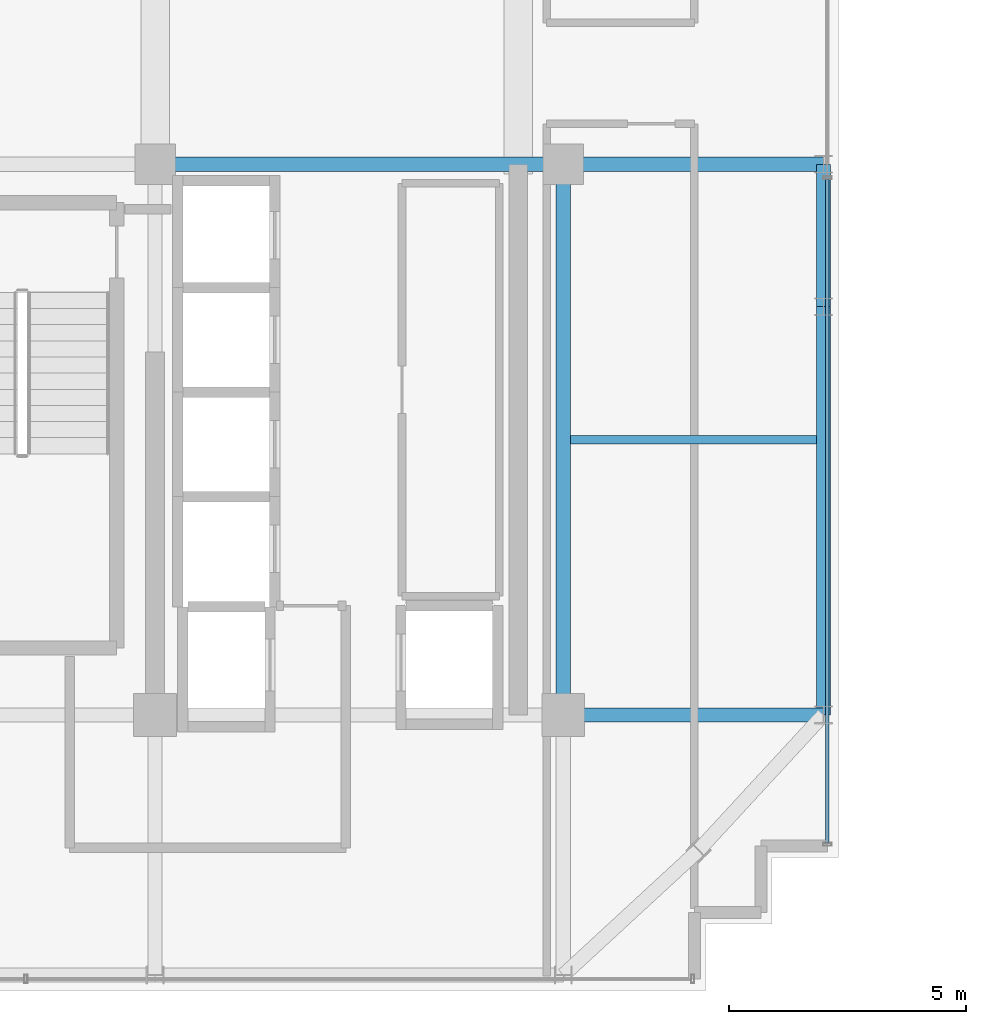
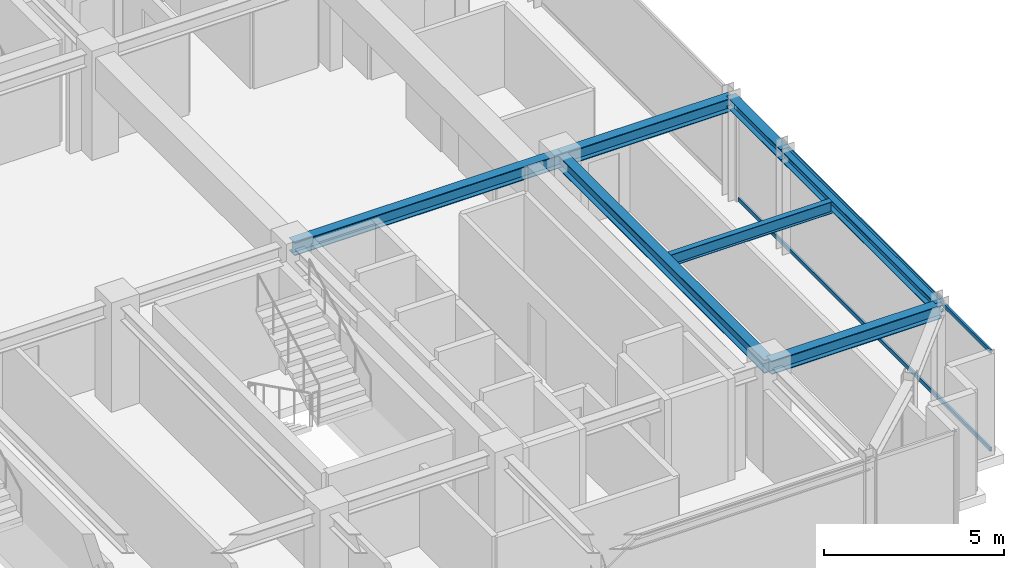
# One storey, part 12 of 32: 7 beams, 2 members, 1 element without a shape of its own.
"""IFC4 building model written with IfcOpenShell, lengths in metres."""

from ifc_helpers import new_model, si_unit, direction, frame, origin, origin_2d, place, context, subcontext, project, spatial, hollow_rectangle, i_section, extrude, source, transform, mapped, material, material_profile, profile_set, type_object, element, aggregate, save


model = new_model("IFC4")

# Units and contexts
model_context = context("Model", 3, precision=1e-05, world=origin(), true_north=direction((0.0, 1.0)))
body_context = subcontext(model_context, "Body", "Model", "MODEL_VIEW")
ifc_project = project(units=[si_unit("LENGTHUNIT", "METRE"), si_unit("AREAUNIT", "SQUARE_METRE"), si_unit("VOLUMEUNIT", "CUBIC_METRE"), si_unit("PLANEANGLEUNIT", "RADIAN"), si_unit("MASSUNIT", "GRAM", prefix="KILO")], contexts=[model_context])

# Site, building, storey
site_placement = place(None, origin())
site = spatial("IfcSite", under=ifc_project, at=site_placement, CompositionType="ELEMENT")
building_placement = place(site_placement, origin())
building = spatial("IfcBuilding", under=site, at=building_placement, Name="Nahalor Promenade Grand Hotel", CompositionType="ELEMENT")
storey_placement = place(building_placement, frame((0.0, 0.0, 285.050048828125)))
storey = spatial("IfcBuildingStorey", under=building, at=storey_placement, Name="L73", CompositionType="ELEMENT", Elevation=285.050048828125)

# Beams
ifc_material_1 = material(Name="Steel S355JR", Category="steel")
ifc_material_profile_1 = material_profile(ifc_material_1, i_section(OverallWidth=0.3, OverallDepth=0.45, WebThickness=0.014, FlangeThickness=0.026, at=origin_2d()), Name="HEB 450")
ifc_profile_set_1 = profile_set([ifc_material_profile_1], Name="Steel S355JR")
beam_type_1 = type_object("IfcBeamType", Name="Beam-Girder-HEB450", PredefinedType="BEAM", material=ifc_profile_set_1)
shared_shape_1 = source(origin(), body_context, "Body", "SweptSolid", [
    extrude(i_section(OverallWidth=0.3, OverallDepth=0.45, WebThickness=0.014, FlangeThickness=0.026, at=origin_2d()), origin(), (0.0, 0.0, 1.0), 8.60009765625),
])
beam_1_placement = place(storey_placement, frame((8.39990234375, -5.39990234375, 3.224853515625), z_axis=(1.0, 0.0, 0.0), x_axis=(0.0, 1.0, 0.0)))
element("IfcBeam", 1, at=beam_1_placement, inside=storey, type_object=beam_type_1, Name="BM-L73-GX-1-5", PredefinedType="BEAM", context=body_context, shape_type="MappedRepresentation", body=[
    mapped(shared_shape_1, transform((0.0, 0.0, 0.0), scale=1.0)),
])
shared_shape_2 = source(origin(), body_context, "Body", "SweptSolid", [
    extrude(i_section(OverallWidth=0.3, OverallDepth=0.45, WebThickness=0.014, FlangeThickness=0.026, at=origin_2d()), origin(), (0.0, 0.0, 1.0), 11.60009765625),
])
beam_2_placement = place(storey_placement, frame((17.0, -17.0, 3.224853515625), z_axis=(0.0, 1.0, 0.0), x_axis=(-1.0, 0.0, 0.0)))
element("IfcBeam", 2, at=beam_2_placement, inside=storey, type_object=beam_type_1, Name="BM-L73-GY-5-1", PredefinedType="BEAM", context=body_context, shape_type="MappedRepresentation", body=[
    mapped(shared_shape_2, transform((0.0, 0.0, 0.0), scale=1.0)),
])
shared_shape_3 = source(origin(), body_context, "Body", "SweptSolid", [
    extrude(i_section(OverallWidth=0.3, OverallDepth=0.45, WebThickness=0.014, FlangeThickness=0.026, at=origin_2d()), origin(), (0.0, 0.0, 1.0), 5.47998046875),
])
for number, where, z_axis, x_axis, name in (
    (3, (17.0, -17.0, 3.224853515625), (1.0, 0.0, 0.0), (0.0, 1.0, 0.0), "BM-L73-GX-0-6"),
    (4, (17.0, -5.39990234375, 3.224853515625), (1.0, 0.0, 0.0), (0.0, 1.0, 0.0), "BM-L73-GX-1-6"),
):
    element("IfcBeam", number, at=place(storey_placement, frame(where, z_axis=z_axis, x_axis=x_axis)), inside=storey, type_object=beam_type_1, Name=name, PredefinedType="BEAM", context=body_context, shape_type="MappedRepresentation", body=[
        mapped(shared_shape_3, transform((0.0, 0.0, 0.0), scale=1.0)),
    ])
ifc_material_profile_2 = material_profile(ifc_material_1, i_section(OverallWidth=0.18, OverallDepth=0.4, WebThickness=0.0086, FlangeThickness=0.0135, at=origin_2d()), Name="IPE 400")
ifc_profile_set_2 = profile_set([ifc_material_profile_2], Name="Steel S355JR")
beam_type_2 = type_object("IfcBeamType", Name="Beam-Joist-IPE400", PredefinedType="JOIST", material=ifc_profile_set_2)
shared_shape_4 = source(origin(), body_context, "Body", "SweptSolid", [
    extrude(i_section(OverallWidth=0.18, OverallDepth=0.4, WebThickness=0.0086, FlangeThickness=0.0135, at=origin_2d()), origin(), (0.0, 0.0, 1.0), 5.18017578125),
])
beam_3_placement = place(storey_placement, frame((17.14990234375, -11.199951171875, 3.25), z_axis=(1.0, 0.0, 0.0), x_axis=(0.0, 1.0, 0.0)))
element("IfcBeam", 5, at=beam_3_placement, inside=storey, type_object=beam_type_2, Name="BM-L73-JSE-0-2", PredefinedType="JOIST", context=body_context, shape_type="MappedRepresentation", body=[
    mapped(shared_shape_4, transform((0.0, 0.0, 0.0), scale=1.0)),
])
ifc_material_profile_3 = material_profile(ifc_material_1, i_section(OverallWidth=0.3, OverallDepth=0.36, WebThickness=0.0125, FlangeThickness=0.0225, at=origin_2d()), Name="HEB 360")
ifc_profile_set_3 = profile_set([ifc_material_profile_3], Name="Steel S355JR")
beam_type_3 = type_object("IfcBeamType", Name="Beam-Spandrel-HEB360", PredefinedType="SPANDREL", material=ifc_profile_set_3)
shared_shape_5 = source(origin(), body_context, "Body", "SweptSolid", [
    extrude(i_section(OverallWidth=0.3, OverallDepth=0.36, WebThickness=0.0125, FlangeThickness=0.0225, at=origin_2d()), origin(), (0.0, 0.0, 1.0), 8.60009765625),
])
beam_4_placement = place(storey_placement, frame((22.47998046875, -17.0, 3.27001953125), z_axis=(0.0, 1.0, 0.0), x_axis=(-1.0, 0.0, 0.0)))
element("IfcBeam", 6, at=beam_4_placement, inside=storey, type_object=beam_type_3, Name="BM-L73-SP-E-0", PredefinedType="SPANDREL", context=body_context, shape_type="MappedRepresentation", body=[
    mapped(shared_shape_5, transform((0.0, 0.0, 0.0), scale=1.0)),
])
shared_shape_6 = source(origin(), body_context, "Body", "SweptSolid", [
    extrude(i_section(OverallWidth=0.3, OverallDepth=0.36, WebThickness=0.0125, FlangeThickness=0.0225, at=origin_2d()), origin(), (0.0, 0.0, 1.0), 3.0),
])
beam_5_placement = place(storey_placement, frame((22.47998046875, -8.39990234375, 3.27001953125), z_axis=(0.0, 1.0, 0.0), x_axis=(-1.0, 0.0, 0.0)))
element("IfcBeam", 7, at=beam_5_placement, inside=storey, type_object=beam_type_3, Name="BM-L73-SP-E-1", PredefinedType="SPANDREL", context=body_context, shape_type="MappedRepresentation", body=[
    mapped(shared_shape_6, transform((0.0, 0.0, 0.0), scale=1.0)),
])

# Curtain wall, members
ifc_material_2 = material(Name="Anodised Bronze Aluminium EN AW-6063 T6", Category="aluminium")
curtain_wall_type = type_object("IfcCurtainWallType", Name="CW2 Typical Hotel Flush Bronze Unitised Curtain Wall", PredefinedType="USERDEFINED", material=ifc_material_2)
curtain_wall_placement = place(storey_placement, origin())
curtain_wall = element("IfcCurtainWall", 8, at=curtain_wall_placement, inside=storey, type_object=curtain_wall_type, Name="L73 Curtain Wall CW-L73-E-1", ObjectType="UNITISED_CURTAIN_WALL", PredefinedType="USERDEFINED")
ifc_material_profile_4 = material_profile(ifc_material_2, hollow_rectangle(XDim=0.065, YDim=0.13, WallThickness=0.004, at=origin_2d()), Name="CWT 65x130x4")
ifc_profile_set_4 = profile_set([ifc_material_profile_4], Name="Anodised Bronze Aluminium EN AW-6063 T6")
member_type = type_object("IfcMemberType", Name="CWT2 Typical Bronze Transom 65x130", PredefinedType="USERDEFINED", material=ifc_profile_set_4)
shared_shape_7 = source(origin(), body_context, "Body", "SweptSolid", [
    extrude(hollow_rectangle(XDim=0.065, YDim=0.13, WallThickness=0.004, at=origin_2d()), origin(), (0.0, 0.0, 1.0), 13.982666015625),
])
member_1_placement = place(storey_placement, frame((22.56005859375, -19.695068359375, 0.06494140625), z_axis=(0.0, 1.0, 0.0), x_axis=(-1.0, 0.0, 0.0)))
member_1 = element("IfcMember", 9, at=member_1_placement, type_object=member_type, Name="CW-L73-E-1 Transom 0-0", ObjectType="TRANSOM", PredefinedType="USERDEFINED", context=body_context, shape_type="MappedRepresentation", body=[
    mapped(shared_shape_7, transform((0.0, 0.0, 0.0), scale=1.0)),
])
member_2_placement = place(storey_placement, frame((22.56005859375, -19.695068359375, 3.385009765625), z_axis=(0.0, 1.0, 0.0), x_axis=(-1.0, 0.0, 0.0)))
member_2 = element("IfcMember", 10, at=member_2_placement, type_object=member_type, Name="CW-L73-E-1 Transom 0-1", ObjectType="TRANSOM", PredefinedType="USERDEFINED", context=body_context, shape_type="MappedRepresentation", body=[
    mapped(shared_shape_7, transform((0.0, 0.0, 0.0), scale=1.0)),
])
aggregate(curtain_wall, [member_1, member_2])

save(model, "model.ifc")
